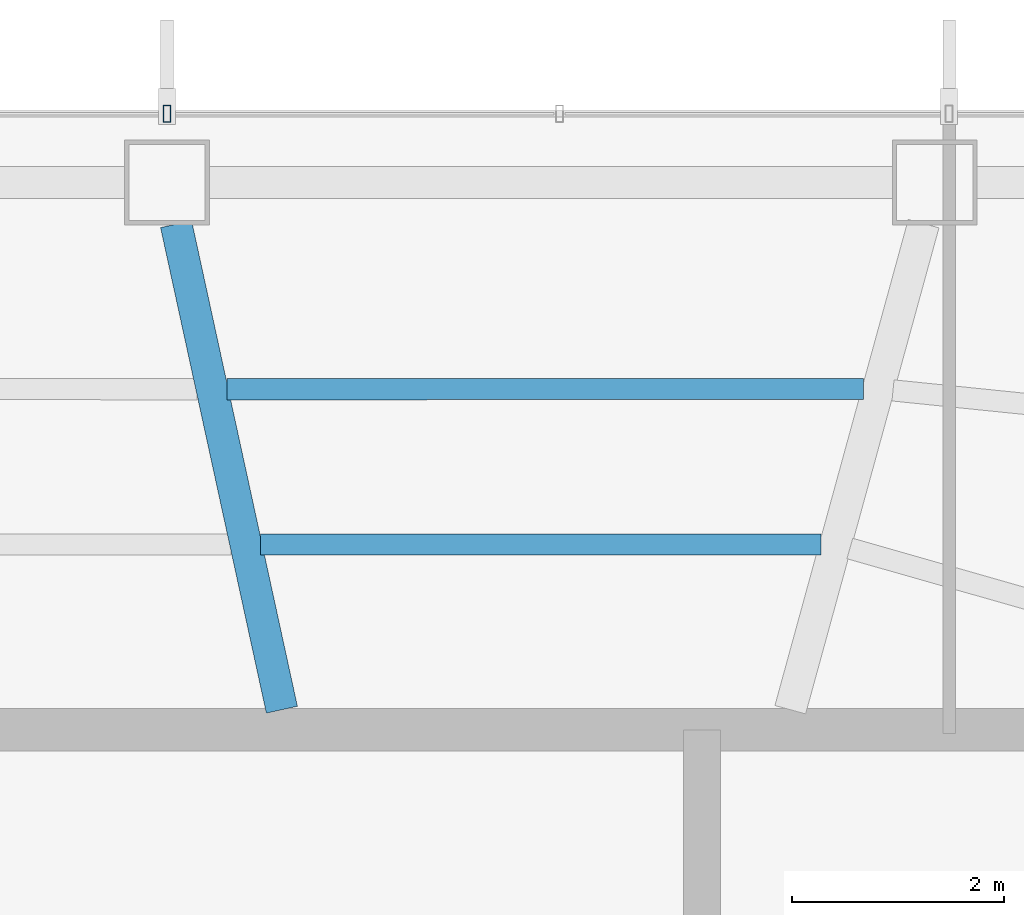
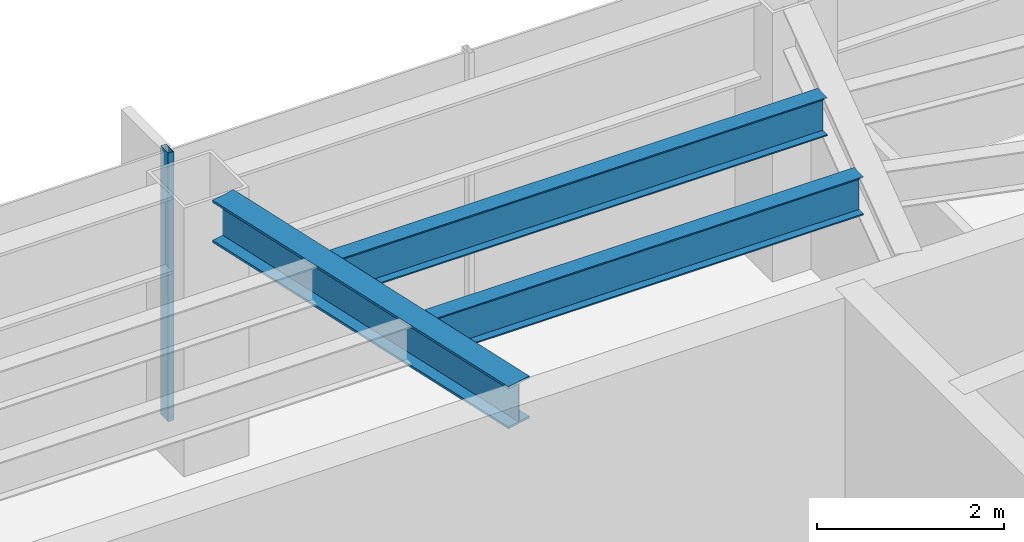
# One storey, part 13 of 28: 3 beams, 1 member, 1 element without a shape of its own.
"""IFC4 building model written with IfcOpenShell, lengths in metres."""

import ifcopenshell
import ifcopenshell.guid

model = None  # the IFC model being written
_history = None  # IfcOwnerHistory: only IFC2X3 demands one
_inside = {}  # id of a spatial element -> (the spatial element, [elements in it])
_under = {}  # id of a project, library or spatial element -> (it, [spatial elements below it])
_declared = {}  # id of a project -> (the project, [libraries it declares])
_typed = {}  # id of a type object -> (the type object, [elements of that type])
_made_of = {}  # id of a material, layer set ... -> (it, [elements and type objects made of it])


def new_model(schema):
    """Start an empty IFC model of exactly this schema.

    Asked for "IFC4X3", IfcOpenShell would pick the latest addendum, in which some entities
    have other attributes; the version numbers below select the first issue.
    IFC2X3 requires an IfcOwnerHistory on every rooted entity: one is made here for all.
    """
    global model, _history
    if schema == "IFC4X3":
        model = ifcopenshell.file(schema_version=(4, 3, 0, 0))
    else:
        model = ifcopenshell.file(schema=schema)
    _inside.clear()
    _under.clear()
    _declared.clear()
    _typed.clear()
    _made_of.clear()
    _history = None
    if model.schema == "IFC2X3":
        org = make("IfcOrganization", Name="unknown")
        user = make(
            "IfcPersonAndOrganization",
            ThePerson=make("IfcPerson", FamilyName="unknown"),
            TheOrganization=org,
        )
        app = make(
            "IfcApplication",
            ApplicationDeveloper=org,
            Version="unknown",
            ApplicationFullName="unknown",
            ApplicationIdentifier="unknown",
        )
        _history = make(
            "IfcOwnerHistory",
            OwningUser=user,
            OwningApplication=app,
            ChangeAction="ADDED",
            CreationDate=0,
        )
    return model


def make(cls, **values):
    """One entity of the class cls with the attributes given. An attribute that is None is left unset."""
    return model.create_entity(
        cls, **{name: value for name, value in values.items() if value is not None}
    )


def rooted(cls, **values):
    """An entity with a GlobalId (a new one), such as an element, a storey or a relation."""
    return make(cls, GlobalId=ifcopenshell.guid.new(), OwnerHistory=_history, **values)


def si_unit(unit_type, name, prefix=None):
    """IfcSIUnit, for example si_unit("LENGTHUNIT", "METRE", prefix="MILLI")."""
    return make("IfcSIUnit", UnitType=unit_type, Prefix=prefix, Name=name)


def assignment(units):
    """IfcUnitAssignment: the units of a project."""
    return None if units is None else make("IfcUnitAssignment", Units=units)


def point(xyz):
    """IfcCartesianPoint."""
    return None if xyz is None else make("IfcCartesianPoint", Coordinates=xyz)


def direction(xyz):
    """IfcDirection."""
    return None if xyz is None else make("IfcDirection", DirectionRatios=xyz)


def frame(location, z_axis=None, x_axis=None):
    """IfcAxis2Placement3D, a coordinate frame: its origin and axes. An axis left out is left unset."""
    return make(
        "IfcAxis2Placement3D",
        Location=point(location),
        Axis=direction(z_axis),
        RefDirection=direction(x_axis),
    )


def frame_2d(location, x_axis=None):
    """IfcAxis2Placement2D, a coordinate frame in the plane: its origin and x axis."""
    return make(
        "IfcAxis2Placement2D", Location=point(location), RefDirection=direction(x_axis)
    )


def origin():
    """The frame at (0, 0, 0) with its axes left unset."""
    return frame((0.0, 0.0, 0.0))


def origin_2d():
    """The frame at (0, 0) in the plane with its x axis left unset."""
    return frame_2d((0.0, 0.0))


def place(relative_to, where):
    """IfcLocalPlacement: puts the frame where relative to a parent placement (None: the world)."""
    return make(
        "IfcLocalPlacement", PlacementRelTo=relative_to, RelativePlacement=where
    )


def context(
    kind, dimensions, precision=None, world=None, true_north=None, identifier=None
):
    """IfcGeometricRepresentationContext, for example the 3D "Model" context."""
    return make(
        "IfcGeometricRepresentationContext",
        ContextIdentifier=identifier,
        ContextType=kind,
        CoordinateSpaceDimension=dimensions,
        Precision=precision,
        WorldCoordinateSystem=world,
        TrueNorth=true_north,
    )


def subcontext(parent, identifier, kind, view, scale=None):
    """IfcGeometricRepresentationSubContext, for example "Body" below "Model"."""
    return make(
        "IfcGeometricRepresentationSubContext",
        ContextIdentifier=identifier,
        ContextType=kind,
        ParentContext=parent,
        TargetScale=scale,
        TargetView=view,
    )


def project(units=None, contexts=None):
    """IfcProject with its units and contexts."""
    return rooted(
        "IfcProject",
        Name="project",
        RepresentationContexts=contexts,
        UnitsInContext=assignment(units),
    )


def spatial(cls, under=None, at=None, **own):
    """A site, building, storey or space (cls), placed at a placement, below another one or the project."""
    s = rooted(cls, ObjectPlacement=at, **own)
    if under is not None:
        _under.setdefault(under.id(), (under, []))[1].append(s)
    return s


def profile(cls, at=None, kind="AREA", **sizes):
    """A parametric profile (cls). Its sizes go by their IFC names, for example OverallWidth=200.0."""
    return make(cls, ProfileType=kind, Position=at, **sizes)


def hollow_rectangle(**sizes):
    """IfcRectangleHollowProfileDef."""
    return profile("IfcRectangleHollowProfileDef", **sizes)


def i_section(**sizes):
    """IfcIShapeProfileDef."""
    return profile("IfcIShapeProfileDef", **sizes)


def extrude(swept, where, along, depth):
    """IfcExtrudedAreaSolid: the profile swept, set in the frame where, extruded along a direction by depth."""
    return make(
        "IfcExtrudedAreaSolid",
        SweptArea=swept,
        Position=where,
        ExtrudedDirection=direction(along),
        Depth=depth,
    )


def shape(context_of_items, identifier, shape_type, items):
    """IfcShapeRepresentation: the items that make up one representation, for example the "Body"."""
    return make(
        "IfcShapeRepresentation",
        ContextOfItems=context_of_items,
        RepresentationIdentifier=identifier,
        RepresentationType=shape_type,
        Items=items,
    )


def material(Name=None, Category=None):
    """IfcMaterial."""
    return make("IfcMaterial", Name=Name, Category=Category)


def layer(
    of_material, thickness, ventilated=None, Name=None, Category=None, Priority=None
):
    """IfcMaterialLayer: one layer of a wall or slab, of a material (None: an air gap)."""
    return make(
        "IfcMaterialLayer",
        Material=of_material,
        LayerThickness=thickness,
        IsVentilated=ventilated,
        Name=Name,
        Category=Category,
        Priority=Priority,
    )


def layer_set(layers, Name=None):
    """IfcMaterialLayerSet."""
    return make("IfcMaterialLayerSet", MaterialLayers=layers, LayerSetName=Name)


def material_profile(
    of_material, cross_section, Name=None, Category=None, Priority=None
):
    """IfcMaterialProfile: a cross section and its material."""
    return make(
        "IfcMaterialProfile",
        Name=Name,
        Material=of_material,
        Profile=cross_section,
        Priority=Priority,
        Category=Category,
    )


def profile_set(profiles, Name=None, composite=None):
    """IfcMaterialProfileSet."""
    return make(
        "IfcMaterialProfileSet",
        Name=Name,
        MaterialProfiles=profiles,
        CompositeProfile=composite,
    )


def made_of(thing, what):
    """Note that an element or type object is made of a material, layer set ...; save() writes the relation."""
    if what is not None:
        _made_of.setdefault(what.id(), (what, []))[1].append(thing)
    return thing


def type_object(cls, material=None, **own):
    """A type object (cls), such as IfcWallType, which elements share."""
    return made_of(rooted(cls, **own), material)


def element(
    cls,
    number,
    at=None,
    inside=None,
    cuts=None,
    type_object=None,
    material=None,
    context=None,
    identifier="Body",
    shape_type=None,
    held_by="IfcProductDefinitionShape",
    body=None,
    shapes=None,
    **own,
):
    """One element of the class cls, such as IfcWall. Its Tag is "e" and its number.

    at: its placement. inside: the storey or other place that contains it. cuts: it is an
    opening in that element (IfcRelVoidsElement). A single representation is given by context,
    identifier, shape_type and body (its items); several are given by shapes. held_by: the class
    of the entity that holds the representations. save() writes the other relations.
    """
    e = rooted(cls, Tag="e%d" % number, ObjectPlacement=at, **own)
    if body is not None:
        shapes = [shape(context, identifier, shape_type, body)]
    if shapes is not None:
        e.Representation = make(held_by, Representations=shapes)
    if inside is not None:
        _inside.setdefault(inside.id(), (inside, []))[1].append(e)
    if cuts is not None:
        rooted(
            "IfcRelVoidsElement", RelatingBuildingElement=cuts, RelatedOpeningElement=e
        )
    if type_object is not None:
        _typed.setdefault(type_object.id(), (type_object, []))[1].append(e)
    return made_of(e, material)


def aggregate(whole, parts):
    """IfcRelAggregates: a whole, such as a stair, and the parts it consists of."""
    return rooted("IfcRelAggregates", RelatingObject=whole, RelatedObjects=parts)


def save(model, path):
    """Write the relations noted so far, then the file.

    IfcRelAggregates (storeys below a building ...), IfcRelContainedInSpatialStructure (elements
    in a storey), IfcRelDefinesByType, IfcRelAssociatesMaterial and IfcRelDeclares: one each for
    every whole, place, type object, material and project.
    """
    for whole, parts in _under.values():
        aggregate(whole, parts)
    for where, things in _inside.values():
        rooted(
            "IfcRelContainedInSpatialStructure",
            RelatedElements=things,
            RelatingStructure=where,
        )
    for kind, things in _typed.values():
        rooted("IfcRelDefinesByType", RelatedObjects=things, RelatingType=kind)
    for what, things in _made_of.values():
        rooted("IfcRelAssociatesMaterial", RelatedObjects=things, RelatingMaterial=what)
    for by, libraries in _declared.values():
        rooted("IfcRelDeclares", RelatingContext=by, RelatedDefinitions=libraries)
    model.write(path)


model = new_model("IFC4")

# Units and contexts
model_context = context("Model", 3, precision=1e-05, world=origin(), true_north=direction((0.0, 1.0)))
body_context = subcontext(model_context, "Body", "Model", "MODEL_VIEW")
ifc_project = project(units=[si_unit("LENGTHUNIT", "METRE"), si_unit("AREAUNIT", "SQUARE_METRE"), si_unit("VOLUMEUNIT", "CUBIC_METRE"), si_unit("PLANEANGLEUNIT", "RADIAN"), si_unit("MASSUNIT", "GRAM", prefix="KILO")], contexts=[model_context])

# Site, building, storey
site_placement = place(None, origin())
site = spatial("IfcSite", under=ifc_project, at=site_placement, CompositionType="ELEMENT")
building_placement = place(site_placement, origin())
building = spatial("IfcBuilding", under=site, at=building_placement, Name="Zarrinselat Tower", CompositionType="ELEMENT")
storey_placement = place(building_placement, frame((0.0, 0.0, 123.419921875)))
storey = spatial("IfcBuildingStorey", under=building, at=storey_placement, Name="L29", CompositionType="ELEMENT", Elevation=123.419921875)

# Beams
ifc_material_1 = material(Name="Steel S355J2", Category="steel")
ifc_material_profile_1 = material_profile(ifc_material_1, i_section(OverallWidth=0.300048828125, OverallDepth=0.550048828125, WebThickness=0.014892578125, FlangeThickness=0.029052734375, at=origin_2d()), Name="HEB 550")
ifc_profile_set_1 = profile_set([ifc_material_profile_1], Name="Steel S355J2")
beam_type_1 = type_object("IfcBeamType", Name="BM-HEB550", PredefinedType="BEAM", material=ifc_profile_set_1)
beam_1_placement = place(storey_placement, frame((40.001220703125, 48.223876953125, 3.22509765625), z_axis=(0.212889795797, -0.977076217521, 0.0), x_axis=(0.977076217521, 0.212889795797, 0.0)))
element("IfcBeam", 1, at=beam_1_placement, inside=storey, type_object=beam_type_1, Name="L29 Radial Primary Girder RG03", PredefinedType="BEAM", context=body_context, shape_type="SweptSolid", body=[
    extrude(i_section(OverallWidth=0.300048828125, OverallDepth=0.550048828125, WebThickness=0.014892578125, FlangeThickness=0.029052734375, at=origin_2d()), origin(), (0.0, 0.0, 1.0), 4.691650390625),
])
ifc_material_2 = material(Name="Steel S355J2", Category="steel")
ifc_material_profile_2 = material_profile(ifc_material_2, i_section(OverallWidth=0.199951171875, OverallDepth=0.5, WebThickness=0.01025390625, FlangeThickness=0.01611328125, at=origin_2d()), Name="IPE 500")
ifc_profile_set_2 = profile_set([ifc_material_profile_2], Name="Steel S355J2")
beam_type_2 = type_object("IfcBeamType", Name="BM-IPE500", PredefinedType="JOIST", material=ifc_profile_set_2)
beam_2_placement = place(storey_placement, frame((40.480712890625, 46.665283203125, 3.25), z_axis=(0.999999838283, 0.000568712586, 0.0), x_axis=(-0.000568712586, 0.999999838283, 0.0)))
element("IfcBeam", 2, at=beam_2_placement, inside=storey, type_object=beam_type_2, Name="L29 Composite Floor Joist 7-1", PredefinedType="JOIST", context=body_context, shape_type="SweptSolid", body=[
    extrude(i_section(OverallWidth=0.199951171875, OverallDepth=0.5, WebThickness=0.01025390625, FlangeThickness=0.01611328125, at=origin_2d()), origin(), (0.0, 0.0, 1.0), 6.010009765625),
])
beam_3_placement = place(storey_placement, frame((40.80029296875, 45.198486328125, 3.25), z_axis=(0.999999947769, 0.000323206189, 0.0), x_axis=(-0.000323206189, 0.999999947769, 0.0)))
element("IfcBeam", 3, at=beam_3_placement, inside=storey, type_object=beam_type_2, Name="L29 Composite Floor Joist 7-2", PredefinedType="JOIST", context=body_context, shape_type="SweptSolid", body=[
    extrude(i_section(OverallWidth=0.199951171875, OverallDepth=0.5, WebThickness=0.01025390625, FlangeThickness=0.01611328125, at=origin_2d()), origin(), (0.0, 0.0, 1.0), 5.28759765625),
])

# Curtain wall, member
ifc_material_3 = material(Name="Extruded Aluminium Alloy EN AW-6063 T6", Category="aluminium")
ifc_layer = layer(ifc_material_3, 0.175048828125)
ifc_layer_set = layer_set([ifc_layer], Name="Extruded Aluminium Alloy EN AW-6063 T6")
curtain_wall_type = type_object("IfcCurtainWallType", Name="CWS-HTL", PredefinedType="NOTDEFINED", material=ifc_layer_set)
curtain_wall_placement = place(storey_placement, origin())
curtain_wall = element("IfcCurtainWall", 4, at=curtain_wall_placement, inside=storey, type_object=curtain_wall_type, Name="L29 Unitised Curtain Wall CW-L29-E01", PredefinedType="NOTDEFINED")
ifc_material_4 = material(Name="Extruded Aluminium Alloy EN AW-6063 T6", Category="aluminium")
ifc_material_profile_3 = material_profile(ifc_material_4, hollow_rectangle(XDim=0.070068359375, YDim=0.159912109375, WallThickness=0.00390625, at=origin_2d()), Name="RHS 160x70x4")
ifc_profile_set_3 = profile_set([ifc_material_profile_3], Name="Extruded Aluminium Alloy EN AW-6063 T6")
member_type = type_object("IfcMemberType", Name="MEM-CW-MUL2", PredefinedType="MULLION", material=ifc_profile_set_3)
member_placement = place(storey_placement, frame((39.91552734375, 49.2666015625, 0.0), z_axis=(0.0, 0.0, 1.0), x_axis=(-1.0, 0.0, 0.0)))
member = element("IfcMember", 5, at=member_placement, type_object=member_type, Name="CW-L29-E01 Mullion 5", PredefinedType="MULLION", context=body_context, shape_type="SweptSolid", body=[
    extrude(hollow_rectangle(XDim=0.070068359375, YDim=0.159912109375, WallThickness=0.00390625, at=origin_2d()), origin(), (0.0, 0.0, 1.0), 3.5),
])
aggregate(curtain_wall, [member])

save(model, "model.ifc")
